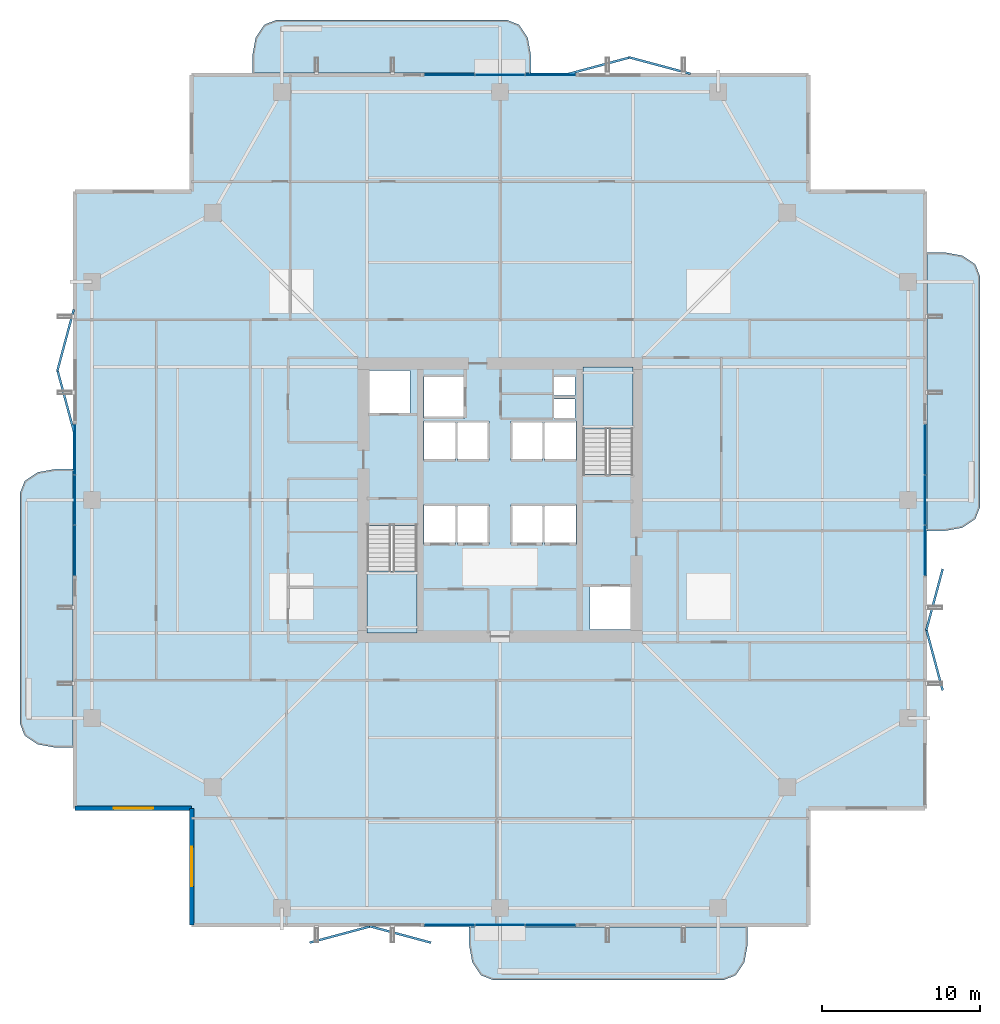
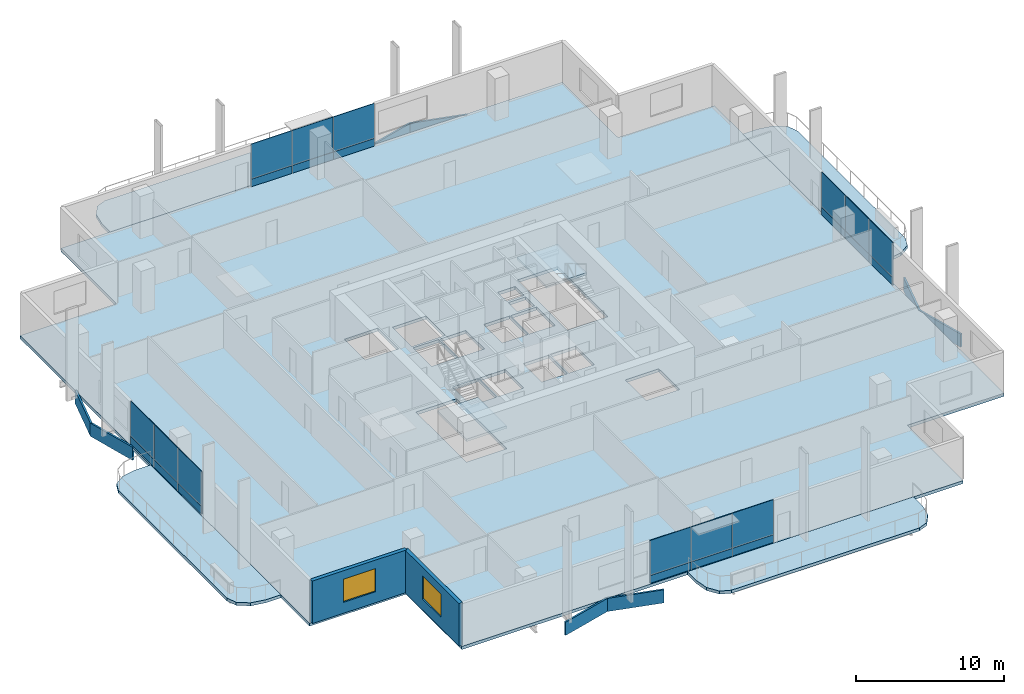
# One storey, part 16 of 24: 32 plates, 7 slabs, 2 walls, 2 windows, 2 openings, 6 elements without a shape of their own.
"""IFC4 building model written with IfcOpenShell, lengths in metres."""

from ifc_helpers import new_model, si_unit, direction, frame, frame_2d, origin, origin_2d, place, context, subcontext, project, spatial, polyline, rectangle, outline, extrude, material, layer, layer_set, type_object, element, fill, aggregate, save


model = new_model("IFC4")

# Units and contexts
model_context = context("Model", 3, precision=1e-05, world=origin(), true_north=direction((0.0, 1.0)))
body_context = subcontext(model_context, "Body", "Model", "MODEL_VIEW")
ifc_project = project(units=[si_unit("LENGTHUNIT", "METRE"), si_unit("AREAUNIT", "SQUARE_METRE"), si_unit("VOLUMEUNIT", "CUBIC_METRE"), si_unit("PLANEANGLEUNIT", "RADIAN"), si_unit("MASSUNIT", "GRAM", prefix="KILO")], contexts=[model_context])

# Site, building, storey
site_placement = place(None, origin())
site = spatial("IfcSite", under=ifc_project, at=site_placement, CompositionType="ELEMENT")
building_placement = place(site_placement, origin())
building = spatial("IfcBuilding", under=site, at=building_placement, Name="Belovzor Exchange Tower", CompositionType="ELEMENT")
storey_placement = place(building_placement, frame((0.0, 0.0, 211.199951171875)))
storey = spatial("IfcBuildingStorey", under=building, at=storey_placement, Name="L52", CompositionType="ELEMENT", Elevation=211.199951171875)

# Slab
ifc_material_1 = material(Name="Concrete C40/50", Category="concrete")
ifc_layer_1 = layer(ifc_material_1, 0.25)
ifc_layer_set_1 = layer_set([ifc_layer_1], Name="Concrete C40/50")
slab_type_1 = type_object("IfcSlabType", Name="Composite Concrete Floor Deck Slab 250", PredefinedType="FLOOR", material=ifc_layer_set_1)
slab_1_placement = place(storey_placement, frame((0.0, 0.0, -0.25)))
element("IfcSlab", 1, at=slab_1_placement, inside=storey, type_object=slab_type_1, Name="SL-F250 Structural Slab L52", PredefinedType="FLOOR", context=body_context, shape_type="SweptSolid", body=[
    extrude(outline(polyline([(9.300048828125, 1.800048828125), (48.300048828125, 1.800048828125), (48.300048828125, 9.300048828125), (55.800048828125, 9.300048828125), (55.800048828125, 48.300048828125), (48.300048828125, 48.300048828125), (48.300048828125, 55.800048828125), (9.300048828125, 55.800048828125), (9.300048828125, 48.300048828125), (1.800048828125, 48.300048828125), (1.800048828125, 9.300048828125), (9.300048828125, 9.300048828125), (9.300048828125, 1.800048828125)]), holes=[polyline([(20.39990234375, 27.175048828125), (20.39990234375, 20.39990234375), (23.550048828125, 20.39990234375), (23.550048828125, 27.175048828125), (20.39990234375, 27.175048828125)]), polyline([(37.199951171875, 30.425048828125), (37.199951171875, 37.199951171875), (34.050048828125, 37.199951171875), (34.050048828125, 30.425048828125), (37.199951171875, 30.425048828125)]), polyline([(20.5, 34.199951171875), (23.10009765625, 34.199951171875), (23.10009765625, 37.0), (20.5, 37.0), (20.5, 34.199951171875)]), polyline([(34.5, 20.60009765625), (37.10009765625, 20.60009765625), (37.10009765625, 23.39990234375), (34.5, 23.39990234375), (34.5, 20.60009765625)]), polyline([(24.0, 34.0), (26.60009765625, 34.0), (26.60009765625, 36.60009765625), (24.0, 36.60009765625), (24.0, 34.0)]), polyline([(24.0, 26.0), (26.0, 26.0), (26.0, 28.5), (24.0, 28.5), (24.0, 26.0)]), polyline([(26.10009765625, 26.0), (28.10009765625, 26.0), (28.10009765625, 28.5), (26.10009765625, 28.5), (26.10009765625, 26.0)]), polyline([(29.5, 26.0), (31.5, 26.0), (31.5, 28.5), (29.5, 28.5), (29.5, 26.0)]), polyline([(31.60009765625, 26.0), (33.60009765625, 26.0), (33.60009765625, 28.5), (31.60009765625, 28.5), (31.60009765625, 26.0)]), polyline([(24.0, 31.300048828125), (26.0, 31.300048828125), (26.0, 33.800048828125), (24.0, 33.800048828125), (24.0, 31.300048828125)]), polyline([(26.10009765625, 31.300048828125), (28.10009765625, 31.300048828125), (28.10009765625, 33.800048828125), (26.10009765625, 33.800048828125), (26.10009765625, 31.300048828125)]), polyline([(29.5, 31.300048828125), (31.5, 31.300048828125), (31.5, 33.800048828125), (29.5, 33.800048828125), (29.5, 31.300048828125)]), polyline([(31.60009765625, 31.300048828125), (33.60009765625, 31.300048828125), (33.60009765625, 33.800048828125), (31.60009765625, 33.800048828125), (31.60009765625, 31.300048828125)]), polyline([(32.199951171875, 34.0), (33.550048828125, 34.0), (33.550048828125, 35.199951171875), (32.199951171875, 35.199951171875), (32.199951171875, 34.0)]), polyline([(32.199951171875, 35.39990234375), (33.550048828125, 35.39990234375), (33.550048828125, 36.60009765625), (32.199951171875, 36.60009765625), (32.199951171875, 35.39990234375)])]), origin(), (0.0, 0.0, 1.0), 0.25),
])

# Curtain wall, plates
ifc_material_2 = material(Name="Anodised Aluminium Framing", Category="aluminium")
ifc_layer_2 = layer(ifc_material_2, 0.179931640625)
ifc_layer_set_2 = layer_set([ifc_layer_2], Name="Anodised Aluminium Framing")
curtain_wall_type = type_object("IfcCurtainWallType", Name="Recessed Loggia Low-Iron Triple-Glazed Curtain Wall", PredefinedType="NOTDEFINED", material=ifc_layer_set_2)
curtain_wall_1_placement = place(storey_placement, origin())
curtain_wall_1 = element("IfcCurtainWall", 2, at=curtain_wall_1_placement, inside=storey, type_object=curtain_wall_type, Name="CW3 Recessed Loggia Low-Iron Triple-Glazed Curtain Wall L52", PredefinedType="NOTDEFINED")
ifc_material_3 = material(Name="Solar-Control Triple Glazing", Category="glass")
ifc_layer_3 = layer(ifc_material_3, 0.0439453125)
ifc_layer_set_3 = layer_set([ifc_layer_3], Name="Solar-Control Triple Glazing")
plate_type_1 = type_object("IfcPlateType", Name="Insulated Solar Glazing Curtain Panel 44", PredefinedType="CURTAIN_PANEL", material=ifc_layer_set_3)
plate_1_placement = place(storey_placement, frame((32.0, 1.929931640625, 0.63232421875), z_axis=(0.0, 0.0, 1.0), x_axis=(-1.0, 0.0, 0.0)))
plate_1 = element("IfcPlate", 3, at=plate_1_placement, type_object=plate_type_1, Name="GLZ-44 Glazed Curtain Panel 1", PredefinedType="CURTAIN_PANEL", context=body_context, shape_type="SweptSolid", body=[
    extrude(rectangle(XDim=3.18408203125, YDim=0.0439453125, at=origin_2d()), origin(), (0.0, 0.0, 1.0), 2.867919921875),
])
plate_2_placement = place(storey_placement, frame((28.800048828125, 1.929931640625, 0.63232421875), z_axis=(0.0, 0.0, 1.0), x_axis=(-1.0, 0.0, 0.0)))
plate_2 = element("IfcPlate", 4, at=plate_2_placement, type_object=plate_type_1, Name="GLZ-44 Glazed Curtain Panel 2", PredefinedType="CURTAIN_PANEL", context=body_context, shape_type="SweptSolid", body=[
    extrude(rectangle(XDim=3.18408203125, YDim=0.0439453125, at=origin_2d()), origin(), (0.0, 0.0, 1.0), 2.867919921875),
])
plate_3_placement = place(storey_placement, frame((25.60009765625, 1.929931640625, 0.63232421875), z_axis=(0.0, 0.0, 1.0), x_axis=(-1.0, 0.0, 0.0)))
plate_3 = element("IfcPlate", 5, at=plate_3_placement, type_object=plate_type_1, Name="GLZ-44 Glazed Curtain Panel 3", PredefinedType="CURTAIN_PANEL", context=body_context, shape_type="SweptSolid", body=[
    extrude(rectangle(XDim=3.18408203125, YDim=0.0439453125, at=origin_2d()), origin(), (0.0, 0.0, 1.0), 2.867919921875),
])

curtain_wall_2_placement = place(storey_placement, origin())
curtain_wall_2 = element("IfcCurtainWall", 6, at=curtain_wall_2_placement, inside=storey, type_object=curtain_wall_type, Name="CW3 Recessed Loggia Low-Iron Triple-Glazed Curtain Wall L52", PredefinedType="NOTDEFINED")
plate_4_placement = place(storey_placement, frame((25.60009765625, 55.669921875, 0.63232421875), z_axis=(0.0, 0.0, 1.0), x_axis=(1.0, 0.0, 0.0)))
plate_4 = element("IfcPlate", 7, at=plate_4_placement, type_object=plate_type_1, Name="GLZ-44 Glazed Curtain Panel 1", PredefinedType="CURTAIN_PANEL", context=body_context, shape_type="SweptSolid", body=[
    extrude(rectangle(XDim=3.18408203125, YDim=0.0439453125, at=origin_2d()), origin(), (0.0, 0.0, 1.0), 2.867919921875),
])
plate_5_placement = place(storey_placement, frame((28.800048828125, 55.669921875, 0.63232421875), z_axis=(0.0, 0.0, 1.0), x_axis=(1.0, 0.0, 0.0)))
plate_5 = element("IfcPlate", 8, at=plate_5_placement, type_object=plate_type_1, Name="GLZ-44 Glazed Curtain Panel 2", PredefinedType="CURTAIN_PANEL", context=body_context, shape_type="SweptSolid", body=[
    extrude(rectangle(XDim=3.18408203125, YDim=0.0439453125, at=origin_2d()), origin(), (0.0, 0.0, 1.0), 2.867919921875),
])
plate_6_placement = place(storey_placement, frame((32.0, 55.669921875, 0.63232421875), z_axis=(0.0, 0.0, 1.0), x_axis=(1.0, 0.0, 0.0)))
plate_6 = element("IfcPlate", 9, at=plate_6_placement, type_object=plate_type_1, Name="GLZ-44 Glazed Curtain Panel 3", PredefinedType="CURTAIN_PANEL", context=body_context, shape_type="SweptSolid", body=[
    extrude(rectangle(XDim=3.18408203125, YDim=0.0439453125, at=origin_2d()), origin(), (0.0, 0.0, 1.0), 2.867919921875),
])

curtain_wall_3_placement = place(storey_placement, origin())
curtain_wall_3 = element("IfcCurtainWall", 10, at=curtain_wall_3_placement, inside=storey, type_object=curtain_wall_type, Name="CW3 Recessed Loggia Low-Iron Triple-Glazed Curtain Wall L52", PredefinedType="NOTDEFINED")
plate_7_placement = place(storey_placement, frame((1.929931640625, 25.60009765625, 0.63232421875), z_axis=(0.0, 0.0, 1.0), x_axis=(0.0, 1.0, 0.0)))
plate_7 = element("IfcPlate", 11, at=plate_7_placement, type_object=plate_type_1, Name="GLZ-44 Glazed Curtain Panel 1", PredefinedType="CURTAIN_PANEL", context=body_context, shape_type="SweptSolid", body=[
    extrude(rectangle(XDim=3.18408203125, YDim=0.0439453125, at=origin_2d()), origin(), (0.0, 0.0, 1.0), 2.867919921875),
])
plate_8_placement = place(storey_placement, frame((1.929931640625, 28.800048828125, 0.63232421875), z_axis=(0.0, 0.0, 1.0), x_axis=(0.0, 1.0, 0.0)))
plate_8 = element("IfcPlate", 12, at=plate_8_placement, type_object=plate_type_1, Name="GLZ-44 Glazed Curtain Panel 2", PredefinedType="CURTAIN_PANEL", context=body_context, shape_type="SweptSolid", body=[
    extrude(rectangle(XDim=3.18408203125, YDim=0.0439453125, at=origin_2d()), origin(), (0.0, 0.0, 1.0), 2.867919921875),
])
plate_9_placement = place(storey_placement, frame((1.929931640625, 32.0, 0.63232421875), z_axis=(0.0, 0.0, 1.0), x_axis=(0.0, 1.0, 0.0)))
plate_9 = element("IfcPlate", 13, at=plate_9_placement, type_object=plate_type_1, Name="GLZ-44 Glazed Curtain Panel 3", PredefinedType="CURTAIN_PANEL", context=body_context, shape_type="SweptSolid", body=[
    extrude(rectangle(XDim=3.18408203125, YDim=0.0439453125, at=origin_2d()), origin(), (0.0, 0.0, 1.0), 2.867919921875),
])

curtain_wall_4_placement = place(storey_placement, origin())
curtain_wall_4 = element("IfcCurtainWall", 14, at=curtain_wall_4_placement, inside=storey, type_object=curtain_wall_type, Name="CW3 Recessed Loggia Low-Iron Triple-Glazed Curtain Wall L52", PredefinedType="NOTDEFINED")
plate_10_placement = place(storey_placement, frame((55.669921875, 32.0, 0.63232421875), z_axis=(0.0, 0.0, 1.0), x_axis=(0.0, -1.0, 0.0)))
plate_10 = element("IfcPlate", 15, at=plate_10_placement, type_object=plate_type_1, Name="GLZ-44 Glazed Curtain Panel 1", PredefinedType="CURTAIN_PANEL", context=body_context, shape_type="SweptSolid", body=[
    extrude(rectangle(XDim=3.18408203125, YDim=0.0439453125, at=origin_2d()), origin(), (0.0, 0.0, 1.0), 2.867919921875),
])
plate_11_placement = place(storey_placement, frame((55.669921875, 28.800048828125, 0.63232421875), z_axis=(0.0, 0.0, 1.0), x_axis=(0.0, -1.0, 0.0)))
plate_11 = element("IfcPlate", 16, at=plate_11_placement, type_object=plate_type_1, Name="GLZ-44 Glazed Curtain Panel 2", PredefinedType="CURTAIN_PANEL", context=body_context, shape_type="SweptSolid", body=[
    extrude(rectangle(XDim=3.18408203125, YDim=0.0439453125, at=origin_2d()), origin(), (0.0, 0.0, 1.0), 2.867919921875),
])
plate_12_placement = place(storey_placement, frame((55.669921875, 25.60009765625, 0.63232421875), z_axis=(0.0, 0.0, 1.0), x_axis=(0.0, -1.0, 0.0)))
plate_12 = element("IfcPlate", 17, at=plate_12_placement, type_object=plate_type_1, Name="GLZ-44 Glazed Curtain Panel 3", PredefinedType="CURTAIN_PANEL", context=body_context, shape_type="SweptSolid", body=[
    extrude(rectangle(XDim=3.18408203125, YDim=0.0439453125, at=origin_2d()), origin(), (0.0, 0.0, 1.0), 2.867919921875),
])

# Plates
ifc_material_4 = material(Name="Extruded Architectural Terracotta", Category="masonry")
ifc_layer_4 = layer(ifc_material_4, 0.139892578125)
ifc_layer_set_4 = layer_set([ifc_layer_4], Name="Extruded Architectural Terracotta")
plate_type_2 = type_object("IfcPlateType", Name="Mid-Tower Folded Zigzag Terracotta Spandrel Louvre 120", PredefinedType="USERDEFINED", material=ifc_layer_set_4)
for number, where, z_axis, x_axis, name in (
    (18, (18.699951171875, 1.330078125, -1.06494140625), (0.0, 0.0, 1.0), (0.965812803231, 0.259240485101, 0.0), "LVR-ZZ2 Zigzag Terracotta Spandrel Louvre L52 S1A"),
    (19, (22.5, 1.330078125, -1.06494140625), (0.0, 0.0, 1.0), (0.965812803231, -0.259240485101, 0.0), "LVR-ZZ2 Zigzag Terracotta Spandrel Louvre L52 S1B"),
    (20, (56.27001953125, 18.699951171875, -1.06494140625), (0.0, 0.0, 1.0), (-0.259240485101, 0.965812803231, 0.0), "LVR-ZZ2 Zigzag Terracotta Spandrel Louvre L52 E1A"),
    (21, (56.27001953125, 22.5, -1.06494140625), (0.0, 0.0, 1.0), (0.259240485101, 0.965812803231, 0.0), "LVR-ZZ2 Zigzag Terracotta Spandrel Louvre L52 E1B"),
    (22, (35.10009765625, 56.27001953125, -1.06494140625), (0.0, 0.0, 1.0), (0.965812803231, 0.259240485101, 0.0), "LVR-ZZ2 Zigzag Terracotta Spandrel Louvre L52 N2A"),
    (23, (38.89990234375, 56.27001953125, -1.06494140625), (0.0, 0.0, 1.0), (0.965812803231, -0.259240485101, 0.0), "LVR-ZZ2 Zigzag Terracotta Spandrel Louvre L52 N2B"),
    (24, (1.330078125, 35.10009765625, -1.06494140625), (0.0, 0.0, 1.0), (-0.259240485101, 0.965812803231, 0.0), "LVR-ZZ2 Zigzag Terracotta Spandrel Louvre L52 W2A"),
    (25, (1.330078125, 38.89990234375, -1.06494140625), (0.0, 0.0, 1.0), (0.259240485101, 0.965812803231, 0.0), "LVR-ZZ2 Zigzag Terracotta Spandrel Louvre L52 W2B"),
):
    element("IfcPlate", number, at=place(storey_placement, frame(where, z_axis=z_axis, x_axis=x_axis)), inside=storey, type_object=plate_type_2, Name=name, ObjectType="SPANDREL_LOUVRE", PredefinedType="USERDEFINED", context=body_context, shape_type="SweptSolid", body=[
        extrude(rectangle(XDim=4.014892578125, YDim=0.139892578125, at=origin_2d()), origin(), (0.0, 0.0, 1.0), 1.080078125),
    ])

# Stair, slab
ifc_material_5 = material(Name="Concrete C40/50", Category="concrete")
stair_type = type_object("IfcStairType", Name="Reinforced Concrete Dogleg Escape Stair 1350", PredefinedType="HALF_TURN_STAIR", material=ifc_material_5)
stair_1_placement = place(storey_placement, origin())
stair_1 = element("IfcStair", 26, at=stair_1_placement, inside=storey, type_object=stair_type, Name="L52 ST-1", PredefinedType="HALF_TURN_STAIR")
ifc_material_6 = material(Name="Concrete C40/50", Category="concrete")
ifc_layer_5 = layer(ifc_material_6, 0.199951171875)
ifc_layer_set_5 = layer_set([ifc_layer_5], Name="Concrete C40/50")
slab_type_2 = type_object("IfcSlabType", Name="Reinforced Concrete Stair Half-Landing Slab 200", PredefinedType="LANDING", material=ifc_layer_set_5)
slab_2_placement = place(storey_placement, frame((0.0, 0.0, 1.675048828125)))
slab_2 = element("IfcSlab", 27, at=slab_2_placement, type_object=slab_type_2, Name="ST-1 landing 1", PredefinedType="LANDING", context=body_context, shape_type="SweptSolid", body=[
    extrude(outline(polyline([(20.39990234375, 24.300048828125), (20.39990234375, 20.39990234375), (23.550048828125, 20.39990234375), (23.550048828125, 24.300048828125), (20.39990234375, 24.300048828125)])), origin(), (0.0, 0.0, 1.0), 0.199951171875),
])
aggregate(stair_1, [slab_2])

stair_2_placement = place(storey_placement, origin())
stair_2 = element("IfcStair", 28, at=stair_2_placement, inside=storey, type_object=stair_type, Name="L52 ST-2", PredefinedType="HALF_TURN_STAIR")
slab_3_placement = place(storey_placement, frame((0.0, 0.0, 1.675048828125)))
slab_3 = element("IfcSlab", 29, at=slab_3_placement, type_object=slab_type_2, Name="ST-2 landing 1", PredefinedType="LANDING", context=body_context, shape_type="SweptSolid", body=[
    extrude(outline(polyline([(37.199951171875, 33.300048828125), (37.199951171875, 37.199951171875), (34.050048828125, 37.199951171875), (34.050048828125, 33.300048828125), (37.199951171875, 33.300048828125)])), origin(), (0.0, 0.0, 1.0), 0.199951171875),
])
aggregate(stair_2, [slab_3])

# Plate
ifc_material_7 = material(Name="Extruded Architectural Terracotta", Category="masonry")
ifc_layer_6 = layer(ifc_material_7, 0.090087890625)
ifc_layer_set_6 = layer_set([ifc_layer_6], Name="Extruded Architectural Terracotta")
plate_type_3 = type_object("IfcPlateType", Name="Terracotta Shadow-Box Spandrel Panel 90", PredefinedType="CURTAIN_PANEL", material=ifc_layer_set_6)
plate_13_placement = place(storey_placement, frame((32.0, 1.929931640625, 0.0), z_axis=(0.0, 0.0, 1.0), x_axis=(-1.0, 0.0, 0.0)))
plate_13 = element("IfcPlate", 30, at=plate_13_placement, type_object=plate_type_3, Name="SPD-90 Spandrel Panel 1", PredefinedType="CURTAIN_PANEL", context=body_context, shape_type="SweptSolid", body=[
    extrude(rectangle(XDim=3.18408203125, YDim=0.090087890625, at=origin_2d()), origin(), (0.0, 0.0, 1.0), 0.6279296875),
])

plate_14_placement = place(storey_placement, frame((28.800048828125, 1.929931640625, 0.0), z_axis=(0.0, 0.0, 1.0), x_axis=(-1.0, 0.0, 0.0)))
plate_14 = element("IfcPlate", 31, at=plate_14_placement, type_object=plate_type_3, Name="SPD-90 Spandrel Panel 2", PredefinedType="CURTAIN_PANEL", context=body_context, shape_type="SweptSolid", body=[
    extrude(rectangle(XDim=3.18408203125, YDim=0.090087890625, at=origin_2d()), origin(), (0.0, 0.0, 1.0), 0.6279296875),
])

plate_15_placement = place(storey_placement, frame((25.60009765625, 1.929931640625, 0.0), z_axis=(0.0, 0.0, 1.0), x_axis=(-1.0, 0.0, 0.0)))
plate_15 = element("IfcPlate", 32, at=plate_15_placement, type_object=plate_type_3, Name="SPD-90 Spandrel Panel 3", PredefinedType="CURTAIN_PANEL", context=body_context, shape_type="SweptSolid", body=[
    extrude(rectangle(XDim=3.18408203125, YDim=0.090087890625, at=origin_2d()), origin(), (0.0, 0.0, 1.0), 0.6279296875),
])

aggregate(curtain_wall_1, [plate_13, plate_1, plate_14, plate_2, plate_15, plate_3])

plate_16_placement = place(storey_placement, frame((25.60009765625, 55.669921875, 0.0), z_axis=(0.0, 0.0, 1.0), x_axis=(1.0, 0.0, 0.0)))
plate_16 = element("IfcPlate", 33, at=plate_16_placement, type_object=plate_type_3, Name="SPD-90 Spandrel Panel 1", PredefinedType="CURTAIN_PANEL", context=body_context, shape_type="SweptSolid", body=[
    extrude(rectangle(XDim=3.18408203125, YDim=0.090087890625, at=origin_2d()), origin(), (0.0, 0.0, 1.0), 0.6279296875),
])

plate_17_placement = place(storey_placement, frame((28.800048828125, 55.669921875, 0.0), z_axis=(0.0, 0.0, 1.0), x_axis=(1.0, 0.0, 0.0)))
plate_17 = element("IfcPlate", 34, at=plate_17_placement, type_object=plate_type_3, Name="SPD-90 Spandrel Panel 2", PredefinedType="CURTAIN_PANEL", context=body_context, shape_type="SweptSolid", body=[
    extrude(rectangle(XDim=3.18408203125, YDim=0.090087890625, at=origin_2d()), origin(), (0.0, 0.0, 1.0), 0.6279296875),
])

plate_18_placement = place(storey_placement, frame((32.0, 55.669921875, 0.0), z_axis=(0.0, 0.0, 1.0), x_axis=(1.0, 0.0, 0.0)))
plate_18 = element("IfcPlate", 35, at=plate_18_placement, type_object=plate_type_3, Name="SPD-90 Spandrel Panel 3", PredefinedType="CURTAIN_PANEL", context=body_context, shape_type="SweptSolid", body=[
    extrude(rectangle(XDim=3.18408203125, YDim=0.090087890625, at=origin_2d()), origin(), (0.0, 0.0, 1.0), 0.6279296875),
])

aggregate(curtain_wall_2, [plate_16, plate_4, plate_17, plate_5, plate_18, plate_6])

plate_19_placement = place(storey_placement, frame((1.929931640625, 25.60009765625, 0.0), z_axis=(0.0, 0.0, 1.0), x_axis=(0.0, 1.0, 0.0)))
plate_19 = element("IfcPlate", 36, at=plate_19_placement, type_object=plate_type_3, Name="SPD-90 Spandrel Panel 1", PredefinedType="CURTAIN_PANEL", context=body_context, shape_type="SweptSolid", body=[
    extrude(rectangle(XDim=3.18408203125, YDim=0.090087890625, at=origin_2d()), origin(), (0.0, 0.0, 1.0), 0.6279296875),
])

plate_20_placement = place(storey_placement, frame((1.929931640625, 28.800048828125, 0.0), z_axis=(0.0, 0.0, 1.0), x_axis=(0.0, 1.0, 0.0)))
plate_20 = element("IfcPlate", 37, at=plate_20_placement, type_object=plate_type_3, Name="SPD-90 Spandrel Panel 2", PredefinedType="CURTAIN_PANEL", context=body_context, shape_type="SweptSolid", body=[
    extrude(rectangle(XDim=3.18408203125, YDim=0.090087890625, at=origin_2d()), origin(), (0.0, 0.0, 1.0), 0.6279296875),
])

plate_21_placement = place(storey_placement, frame((1.929931640625, 32.0, 0.0), z_axis=(0.0, 0.0, 1.0), x_axis=(0.0, 1.0, 0.0)))
plate_21 = element("IfcPlate", 38, at=plate_21_placement, type_object=plate_type_3, Name="SPD-90 Spandrel Panel 3", PredefinedType="CURTAIN_PANEL", context=body_context, shape_type="SweptSolid", body=[
    extrude(rectangle(XDim=3.18408203125, YDim=0.090087890625, at=origin_2d()), origin(), (0.0, 0.0, 1.0), 0.6279296875),
])

aggregate(curtain_wall_3, [plate_19, plate_7, plate_20, plate_8, plate_21, plate_9])

plate_22_placement = place(storey_placement, frame((55.669921875, 32.0, 0.0), z_axis=(0.0, 0.0, 1.0), x_axis=(0.0, -1.0, 0.0)))
plate_22 = element("IfcPlate", 39, at=plate_22_placement, type_object=plate_type_3, Name="SPD-90 Spandrel Panel 1", PredefinedType="CURTAIN_PANEL", context=body_context, shape_type="SweptSolid", body=[
    extrude(rectangle(XDim=3.18408203125, YDim=0.090087890625, at=origin_2d()), origin(), (0.0, 0.0, 1.0), 0.6279296875),
])

plate_23_placement = place(storey_placement, frame((55.669921875, 28.800048828125, 0.0), z_axis=(0.0, 0.0, 1.0), x_axis=(0.0, -1.0, 0.0)))
plate_23 = element("IfcPlate", 40, at=plate_23_placement, type_object=plate_type_3, Name="SPD-90 Spandrel Panel 2", PredefinedType="CURTAIN_PANEL", context=body_context, shape_type="SweptSolid", body=[
    extrude(rectangle(XDim=3.18408203125, YDim=0.090087890625, at=origin_2d()), origin(), (0.0, 0.0, 1.0), 0.6279296875),
])

plate_24_placement = place(storey_placement, frame((55.669921875, 25.60009765625, 0.0), z_axis=(0.0, 0.0, 1.0), x_axis=(0.0, -1.0, 0.0)))
plate_24 = element("IfcPlate", 41, at=plate_24_placement, type_object=plate_type_3, Name="SPD-90 Spandrel Panel 3", PredefinedType="CURTAIN_PANEL", context=body_context, shape_type="SweptSolid", body=[
    extrude(rectangle(XDim=3.18408203125, YDim=0.090087890625, at=origin_2d()), origin(), (0.0, 0.0, 1.0), 0.6279296875),
])

aggregate(curtain_wall_4, [plate_22, plate_10, plate_23, plate_11, plate_24, plate_12])

# Slabs
ifc_material_8 = material(Name="Concrete C40/50", Category="concrete")
ifc_layer_7 = layer(ifc_material_8, 0.25)
ifc_layer_set_7 = layer_set([ifc_layer_7], Name="Concrete C40/50")
slab_type_3 = type_object("IfcSlabType", Name="Thermally Broken Planted Balcony Slab 250", PredefinedType="FLOOR", material=ifc_layer_set_7)
slab_4_placement = place(storey_placement, frame((0.0, 0.0, -0.25)))
element("IfcSlab", 42, at=slab_4_placement, inside=storey, type_object=slab_type_3, Name="SL-BAL220 Planted Balcony Loggia L52 South", PredefinedType="FLOOR", context=body_context, shape_type="SweptSolid", body=[
    extrude(outline(polyline([(26.85009765625, 1.81494140625), (26.85009765625, 0.64990234375), (27.051025390625, -0.449951171875), (27.60009765625, -1.2548828125), (28.35009765625, -1.550048828125), (42.949951171875, -1.550048828125), (43.699951171875, -1.2548828125), (44.2490234375, -0.449951171875), (44.449951171875, 0.64990234375), (44.449951171875, 1.81494140625), (26.85009765625, 1.81494140625)])), origin(), (0.0, 0.0, 1.0), 0.25),
])
slab_5_placement = place(storey_placement, frame((0.0, 0.0, -0.25)))
element("IfcSlab", 43, at=slab_5_placement, inside=storey, type_object=slab_type_3, Name="SL-BAL220 Planted Balcony Loggia L52 North", PredefinedType="FLOOR", context=body_context, shape_type="SweptSolid", body=[
    extrude(outline(polyline([(30.75, 55.784912109375), (30.75, 56.949951171875), (30.549072265625, 58.050048828125), (30.0, 58.85498046875), (29.25, 59.14990234375), (14.64990234375, 59.14990234375), (13.89990234375, 58.85498046875), (13.35107421875, 58.050048828125), (13.14990234375, 56.949951171875), (13.14990234375, 55.784912109375), (30.75, 55.784912109375)])), origin(), (0.0, 0.0, 1.0), 0.25),
])
slab_6_placement = place(storey_placement, frame((0.0, 0.0, -0.25)))
element("IfcSlab", 44, at=slab_6_placement, inside=storey, type_object=slab_type_3, Name="SL-BAL220 Planted Balcony Loggia L52 East", PredefinedType="FLOOR", context=body_context, shape_type="SweptSolid", body=[
    extrude(outline(polyline([(55.784912109375, 26.85009765625), (56.949951171875, 26.85009765625), (58.050048828125, 27.051025390625), (58.85498046875, 27.60009765625), (59.14990234375, 28.35009765625), (59.14990234375, 42.949951171875), (58.85498046875, 43.699951171875), (58.050048828125, 44.2490234375), (56.949951171875, 44.449951171875), (55.784912109375, 44.449951171875), (55.784912109375, 26.85009765625)])), origin(), (0.0, 0.0, 1.0), 0.25),
])
slab_7_placement = place(storey_placement, frame((0.0, 0.0, -0.25)))
element("IfcSlab", 45, at=slab_7_placement, inside=storey, type_object=slab_type_3, Name="SL-BAL220 Planted Balcony Loggia L52 West", PredefinedType="FLOOR", context=body_context, shape_type="SweptSolid", body=[
    extrude(outline(polyline([(1.81494140625, 30.75), (0.64990234375, 30.75), (-0.449951171875, 30.549072265625), (-1.2548828125, 30.0), (-1.550048828125, 29.25), (-1.550048828125, 14.64990234375), (-1.2548828125, 13.89990234375), (-0.449951171875, 13.35107421875), (0.64990234375, 13.14990234375), (1.81494140625, 13.14990234375), (1.81494140625, 30.75)])), origin(), (0.0, 0.0, 1.0), 0.25),
])

# Wall, opening, window
ifc_material_9 = material(Name="Precast concrete C40/50", Category="concrete")
ifc_layer_8 = layer(ifc_material_9, 0.280029296875)
ifc_layer_set_8 = layer_set([ifc_layer_8], Name="Precast concrete C40/50")
wall_type = type_object("IfcWallType", Name="Precast Concrete Notched Corner Frame Wall 280", PredefinedType="SOLIDWALL", material=ifc_layer_set_8)
wall_1_placement = place(storey_placement, frame((9.300048828125, 1.929931640625, 0.0), z_axis=(0.0, 0.0, 1.0), x_axis=(0.0, 1.0, 0.0)))
wall_1 = element("IfcWall", 46, at=wall_1_placement, inside=storey, type_object=wall_type, Name="W-CRN280 Precast Concrete Notched Corner Frame Wall 280 L52", PredefinedType="SOLIDWALL", context=body_context, shape_type="SweptSolid", body=[
    extrude(rectangle(XDim=7.3701171875, YDim=0.280029296875, at=frame_2d((3.68505859375, 0.0))), origin(), (0.0, 0.0, 1.0), 3.5),
])
opening_1_placement = place(wall_1_placement, frame((2.43505859375, 0.0, 0.89990234375)))
opening_1 = element("IfcOpeningElement", 47, at=opening_1_placement, cuts=wall_1, Name="Opening WN-CRN250", PredefinedType="OPENING", context=body_context, shape_type="SweptSolid", body=[
    extrude(rectangle(XDim=2.5, YDim=1.89990234375, at=frame_2d((1.25, 0.949951171875))), frame((0.0, 0.14990234375, 0.0), z_axis=(0.0, -1.0, 0.0), x_axis=(1.0, 0.0, 0.0)), (0.0, 0.0, 1.0), 0.300048828125),
])
ifc_material_10 = material(Name="Thermally Broken Aluminium and Triple Glazing", Category="aluminium")
window_type = type_object("IfcWindowType", Name="Streamline Moderne Corner Wrap Ribbon Window 2500x1900", PartitioningType="SINGLE_PANEL", PredefinedType="WINDOW", material=ifc_material_10)
window_1_placement = place(opening_1_placement, origin())
window_1 = element("IfcWindow", 48, at=window_1_placement, inside=storey, type_object=window_type, Name="WN-CRN250 Streamline Moderne Corner Wrap Ribbon Window 2500x1900", OverallHeight=1.89990234375, OverallWidth=2.5, PartitioningType="SINGLE_PANEL", PredefinedType="WINDOW", context=body_context, shape_type="SweptSolid", body=[
    extrude(rectangle(XDim=2.5, YDim=1.89990234375, at=frame_2d((1.25, 0.949951171875))), frame((0.0, 0.030029296875, 0.0), z_axis=(0.0, -1.0, 0.0), x_axis=(1.0, 0.0, 0.0)), (0.0, 0.0, 1.0), 0.06005859375),
])
fill(opening_1, window_1)

wall_2_placement = place(storey_placement, frame((9.300048828125, 9.300048828125, 0.0), z_axis=(0.0, 0.0, 1.0), x_axis=(-1.0, 0.0, 0.0)))
wall_2 = element("IfcWall", 49, at=wall_2_placement, inside=storey, type_object=wall_type, Name="W-CRN280 Precast Concrete Notched Corner Frame Wall 280 L52", PredefinedType="SOLIDWALL", context=body_context, shape_type="SweptSolid", body=[
    extrude(rectangle(XDim=7.3701171875, YDim=0.280029296875, at=frame_2d((3.68505859375, 0.0))), origin(), (0.0, 0.0, 1.0), 3.5),
])
opening_2_placement = place(wall_2_placement, frame((2.43505859375, 0.0, 0.89990234375)))
opening_2 = element("IfcOpeningElement", 50, at=opening_2_placement, cuts=wall_2, Name="Opening WN-CRN250", PredefinedType="OPENING", context=body_context, shape_type="SweptSolid", body=[
    extrude(rectangle(XDim=2.5, YDim=1.89990234375, at=frame_2d((1.25, 0.949951171875))), frame((0.0, 0.14990234375, 0.0), z_axis=(0.0, -1.0, 0.0), x_axis=(1.0, 0.0, 0.0)), (0.0, 0.0, 1.0), 0.300048828125),
])
window_2_placement = place(opening_2_placement, origin())
window_2 = element("IfcWindow", 51, at=window_2_placement, inside=storey, type_object=window_type, Name="WN-CRN250 Streamline Moderne Corner Wrap Ribbon Window 2500x1900", OverallHeight=1.89990234375, OverallWidth=2.5, PartitioningType="SINGLE_PANEL", PredefinedType="WINDOW", context=body_context, shape_type="SweptSolid", body=[
    extrude(rectangle(XDim=2.5, YDim=1.89990234375, at=frame_2d((1.25, 0.949951171875))), frame((0.0, 0.030029296875, 0.0), z_axis=(0.0, -1.0, 0.0), x_axis=(1.0, 0.0, 0.0)), (0.0, 0.0, 1.0), 0.06005859375),
])
fill(opening_2, window_2)

save(model, "model.ifc")
